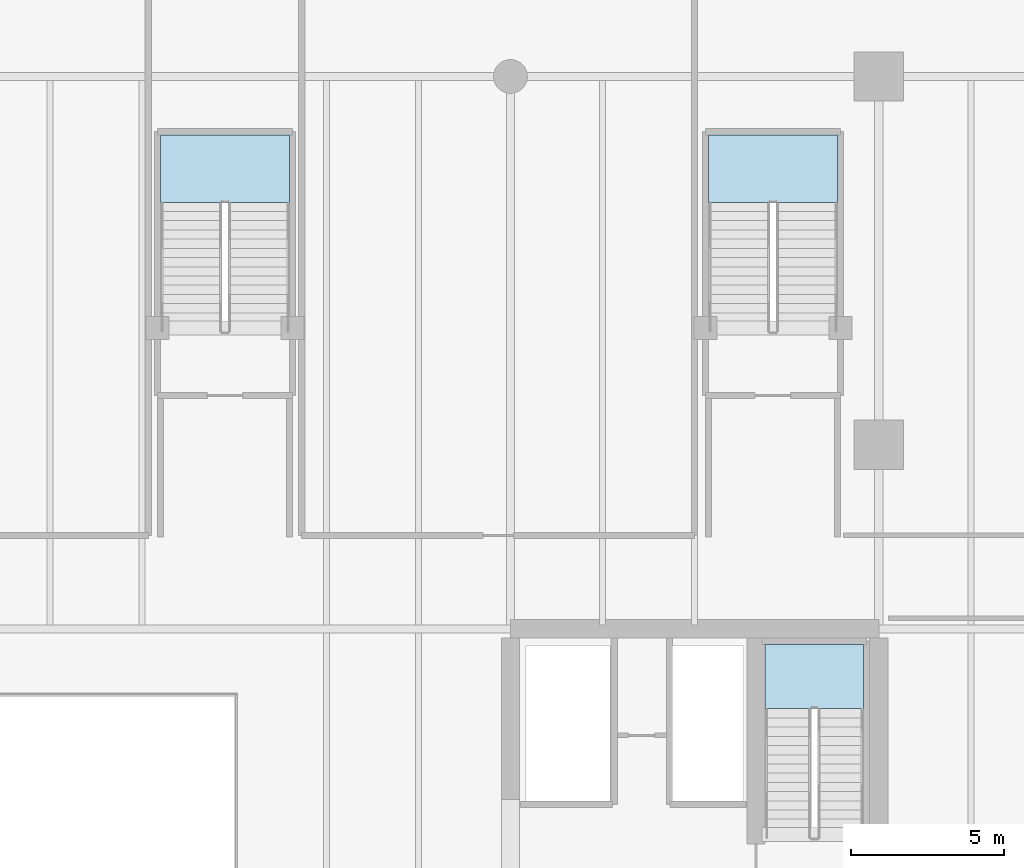
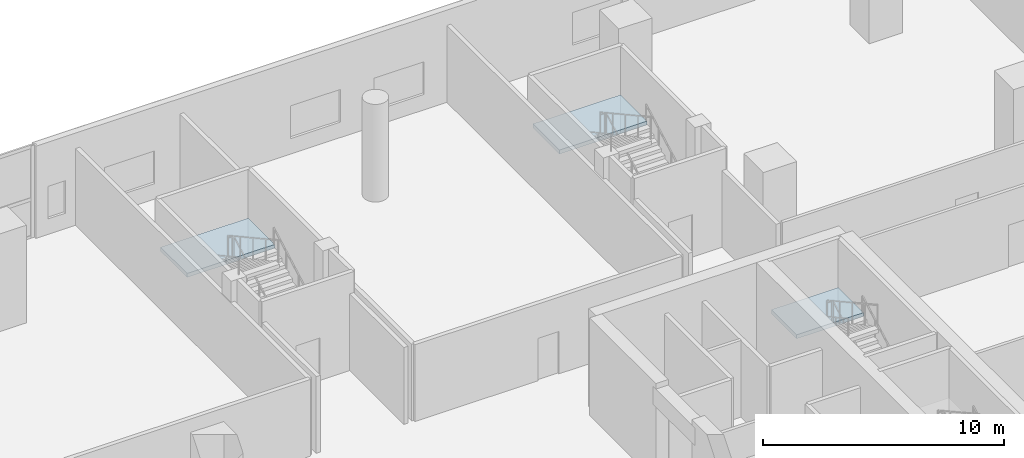
# One storey, part 10 of 27: 3 slabs, 3 elements without a shape of their own.
"""IFC4 building model written with IfcOpenShell, lengths in metres."""

import ifcopenshell
import ifcopenshell.guid

model = None  # the IFC model being written
_history = None  # IfcOwnerHistory: only IFC2X3 demands one
_inside = {}  # id of a spatial element -> (the spatial element, [elements in it])
_under = {}  # id of a project, library or spatial element -> (it, [spatial elements below it])
_declared = {}  # id of a project -> (the project, [libraries it declares])
_typed = {}  # id of a type object -> (the type object, [elements of that type])
_made_of = {}  # id of a material, layer set ... -> (it, [elements and type objects made of it])


def new_model(schema):
    """Start an empty IFC model of exactly this schema.

    Asked for "IFC4X3", IfcOpenShell would pick the latest addendum, in which some entities
    have other attributes; the version numbers below select the first issue.
    IFC2X3 requires an IfcOwnerHistory on every rooted entity: one is made here for all.
    """
    global model, _history
    if schema == "IFC4X3":
        model = ifcopenshell.file(schema_version=(4, 3, 0, 0))
    else:
        model = ifcopenshell.file(schema=schema)
    _inside.clear()
    _under.clear()
    _declared.clear()
    _typed.clear()
    _made_of.clear()
    _history = None
    if model.schema == "IFC2X3":
        org = make("IfcOrganization", Name="unknown")
        user = make(
            "IfcPersonAndOrganization",
            ThePerson=make("IfcPerson", FamilyName="unknown"),
            TheOrganization=org,
        )
        app = make(
            "IfcApplication",
            ApplicationDeveloper=org,
            Version="unknown",
            ApplicationFullName="unknown",
            ApplicationIdentifier="unknown",
        )
        _history = make(
            "IfcOwnerHistory",
            OwningUser=user,
            OwningApplication=app,
            ChangeAction="ADDED",
            CreationDate=0,
        )
    return model


def make(cls, **values):
    """One entity of the class cls with the attributes given. An attribute that is None is left unset."""
    return model.create_entity(
        cls, **{name: value for name, value in values.items() if value is not None}
    )


def rooted(cls, **values):
    """An entity with a GlobalId (a new one), such as an element, a storey or a relation."""
    return make(cls, GlobalId=ifcopenshell.guid.new(), OwnerHistory=_history, **values)


def si_unit(unit_type, name, prefix=None):
    """IfcSIUnit, for example si_unit("LENGTHUNIT", "METRE", prefix="MILLI")."""
    return make("IfcSIUnit", UnitType=unit_type, Prefix=prefix, Name=name)


def assignment(units):
    """IfcUnitAssignment: the units of a project."""
    return None if units is None else make("IfcUnitAssignment", Units=units)


def point(xyz):
    """IfcCartesianPoint."""
    return None if xyz is None else make("IfcCartesianPoint", Coordinates=xyz)


def direction(xyz):
    """IfcDirection."""
    return None if xyz is None else make("IfcDirection", DirectionRatios=xyz)


def frame(location, z_axis=None, x_axis=None):
    """IfcAxis2Placement3D, a coordinate frame: its origin and axes. An axis left out is left unset."""
    return make(
        "IfcAxis2Placement3D",
        Location=point(location),
        Axis=direction(z_axis),
        RefDirection=direction(x_axis),
    )


def origin():
    """The frame at (0, 0, 0) with its axes left unset."""
    return frame((0.0, 0.0, 0.0))


def place(relative_to, where):
    """IfcLocalPlacement: puts the frame where relative to a parent placement (None: the world)."""
    return make(
        "IfcLocalPlacement", PlacementRelTo=relative_to, RelativePlacement=where
    )


def context(
    kind, dimensions, precision=None, world=None, true_north=None, identifier=None
):
    """IfcGeometricRepresentationContext, for example the 3D "Model" context."""
    return make(
        "IfcGeometricRepresentationContext",
        ContextIdentifier=identifier,
        ContextType=kind,
        CoordinateSpaceDimension=dimensions,
        Precision=precision,
        WorldCoordinateSystem=world,
        TrueNorth=true_north,
    )


def subcontext(parent, identifier, kind, view, scale=None):
    """IfcGeometricRepresentationSubContext, for example "Body" below "Model"."""
    return make(
        "IfcGeometricRepresentationSubContext",
        ContextIdentifier=identifier,
        ContextType=kind,
        ParentContext=parent,
        TargetScale=scale,
        TargetView=view,
    )


def project(units=None, contexts=None):
    """IfcProject with its units and contexts."""
    return rooted(
        "IfcProject",
        Name="project",
        RepresentationContexts=contexts,
        UnitsInContext=assignment(units),
    )


def spatial(cls, under=None, at=None, **own):
    """A site, building, storey or space (cls), placed at a placement, below another one or the project."""
    s = rooted(cls, ObjectPlacement=at, **own)
    if under is not None:
        _under.setdefault(under.id(), (under, []))[1].append(s)
    return s


def polyline(points):
    """IfcPolyline through the points."""
    return make("IfcPolyline", Points=[point(p) for p in points])


def outline(outer, holes=None, kind="AREA"):
    """IfcArbitraryClosedProfileDef: a profile drawn as a closed curve; with holes, ...WithVoids."""
    if holes is None:
        return make("IfcArbitraryClosedProfileDef", ProfileType=kind, OuterCurve=outer)
    return make(
        "IfcArbitraryProfileDefWithVoids",
        ProfileType=kind,
        OuterCurve=outer,
        InnerCurves=holes,
    )


def extrude(swept, where, along, depth):
    """IfcExtrudedAreaSolid: the profile swept, set in the frame where, extruded along a direction by depth."""
    return make(
        "IfcExtrudedAreaSolid",
        SweptArea=swept,
        Position=where,
        ExtrudedDirection=direction(along),
        Depth=depth,
    )


def shape(context_of_items, identifier, shape_type, items):
    """IfcShapeRepresentation: the items that make up one representation, for example the "Body"."""
    return make(
        "IfcShapeRepresentation",
        ContextOfItems=context_of_items,
        RepresentationIdentifier=identifier,
        RepresentationType=shape_type,
        Items=items,
    )


def material(Name=None, Category=None):
    """IfcMaterial."""
    return make("IfcMaterial", Name=Name, Category=Category)


def layer(
    of_material, thickness, ventilated=None, Name=None, Category=None, Priority=None
):
    """IfcMaterialLayer: one layer of a wall or slab, of a material (None: an air gap)."""
    return make(
        "IfcMaterialLayer",
        Material=of_material,
        LayerThickness=thickness,
        IsVentilated=ventilated,
        Name=Name,
        Category=Category,
        Priority=Priority,
    )


def layer_set(layers, Name=None):
    """IfcMaterialLayerSet."""
    return make("IfcMaterialLayerSet", MaterialLayers=layers, LayerSetName=Name)


def made_of(thing, what):
    """Note that an element or type object is made of a material, layer set ...; save() writes the relation."""
    if what is not None:
        _made_of.setdefault(what.id(), (what, []))[1].append(thing)
    return thing


def type_object(cls, material=None, **own):
    """A type object (cls), such as IfcWallType, which elements share."""
    return made_of(rooted(cls, **own), material)


def element(
    cls,
    number,
    at=None,
    inside=None,
    cuts=None,
    type_object=None,
    material=None,
    context=None,
    identifier="Body",
    shape_type=None,
    held_by="IfcProductDefinitionShape",
    body=None,
    shapes=None,
    **own,
):
    """One element of the class cls, such as IfcWall. Its Tag is "e" and its number.

    at: its placement. inside: the storey or other place that contains it. cuts: it is an
    opening in that element (IfcRelVoidsElement). A single representation is given by context,
    identifier, shape_type and body (its items); several are given by shapes. held_by: the class
    of the entity that holds the representations. save() writes the other relations.
    """
    e = rooted(cls, Tag="e%d" % number, ObjectPlacement=at, **own)
    if body is not None:
        shapes = [shape(context, identifier, shape_type, body)]
    if shapes is not None:
        e.Representation = make(held_by, Representations=shapes)
    if inside is not None:
        _inside.setdefault(inside.id(), (inside, []))[1].append(e)
    if cuts is not None:
        rooted(
            "IfcRelVoidsElement", RelatingBuildingElement=cuts, RelatedOpeningElement=e
        )
    if type_object is not None:
        _typed.setdefault(type_object.id(), (type_object, []))[1].append(e)
    return made_of(e, material)


def aggregate(whole, parts):
    """IfcRelAggregates: a whole, such as a stair, and the parts it consists of."""
    return rooted("IfcRelAggregates", RelatingObject=whole, RelatedObjects=parts)


def save(model, path):
    """Write the relations noted so far, then the file.

    IfcRelAggregates (storeys below a building ...), IfcRelContainedInSpatialStructure (elements
    in a storey), IfcRelDefinesByType, IfcRelAssociatesMaterial and IfcRelDeclares: one each for
    every whole, place, type object, material and project.
    """
    for whole, parts in _under.values():
        aggregate(whole, parts)
    for where, things in _inside.values():
        rooted(
            "IfcRelContainedInSpatialStructure",
            RelatedElements=things,
            RelatingStructure=where,
        )
    for kind, things in _typed.values():
        rooted("IfcRelDefinesByType", RelatedObjects=things, RelatingType=kind)
    for what, things in _made_of.values():
        rooted("IfcRelAssociatesMaterial", RelatedObjects=things, RelatingMaterial=what)
    for by, libraries in _declared.values():
        rooted("IfcRelDeclares", RelatingContext=by, RelatedDefinitions=libraries)
    model.write(path)


model = new_model("IFC4")

# Units and contexts
model_context = context("Model", 3, precision=1e-05, world=origin(), true_north=direction((0.0, 1.0)))
body_context = subcontext(model_context, "Body", "Model", "MODEL_VIEW")
ifc_project = project(units=[si_unit("LENGTHUNIT", "METRE"), si_unit("AREAUNIT", "SQUARE_METRE"), si_unit("VOLUMEUNIT", "CUBIC_METRE"), si_unit("PLANEANGLEUNIT", "RADIAN"), si_unit("MASSUNIT", "GRAM", prefix="KILO")], contexts=[model_context])

# Site, building, storey
site_placement = place(None, origin())
site = spatial("IfcSite", under=ifc_project, at=site_placement, CompositionType="ELEMENT")
building_placement = place(site_placement, origin())
building = spatial("IfcBuilding", under=site, at=building_placement, Name="Tanjung Sevakor Pilgrim Tower", CompositionType="ELEMENT")
storey_placement = place(building_placement, frame((0.0, 0.0, 9.89990234375)))
storey = spatial("IfcBuildingStorey", under=building, at=storey_placement, Name="L03", CompositionType="ELEMENT", Elevation=9.89990234375)

# Stair, slab
ifc_material_1 = material(Name="Concrete C40/50", Category="concrete")
stair_type_1 = type_object("IfcStairType", Name="STAIR-ST-CR150", PredefinedType="HALF_TURN_STAIR", material=ifc_material_1)
stair_1_placement = place(storey_placement, origin())
stair_1 = element("IfcStair", 1, at=stair_1_placement, inside=storey, type_object=stair_type_1, Name="L03 East Core Exit Stair 2", PredefinedType="HALF_TURN_STAIR")
ifc_material_2 = material(Name="Concrete C40/50", Category="concrete")
ifc_layer = layer(ifc_material_2, 0.199951171875)
ifc_layer_set = layer_set([ifc_layer], Name="SL-LAND-200")
slab_type = type_object("IfcSlabType", Name="SL-LAND-200", PredefinedType="LANDING", material=ifc_layer_set)
slab_1_placement = place(storey_placement, frame((0.0, 0.0, 2.275146484375)))
slab_1 = element("IfcSlab", 2, at=slab_1_placement, type_object=slab_type, Name="TS-E2 landing 1", PredefinedType="LANDING", context=body_context, shape_type="SweptSolid", body=[
    extrude(outline(polyline([(89.5, 40.0), (89.5, 42.10009765625), (86.300048828125, 42.10009765625), (86.300048828125, 40.0), (89.5, 40.0)])), origin(), (0.0, 0.0, 1.0), 0.199951171875),
])
aggregate(stair_1, [slab_1])

ifc_material_3 = material(Name="Concrete C40/50", Category="concrete")
stair_type_2 = type_object("IfcStairType", Name="STAIR-ST-PD200", PredefinedType="HALF_TURN_STAIR", material=ifc_material_3)
stair_2_placement = place(storey_placement, origin())
stair_2 = element("IfcStair", 3, at=stair_2_placement, inside=storey, type_object=stair_type_2, Name="L03 Podium North-Central Assembly Stair", PredefinedType="HALF_TURN_STAIR")
slab_2_placement = place(storey_placement, frame((0.0, 0.0, 2.275146484375)))
slab_2 = element("IfcSlab", 4, at=slab_2_placement, type_object=slab_type, Name="PS-4 landing 1", PredefinedType="LANDING", context=body_context, shape_type="SweptSolid", body=[
    extrude(outline(polyline([(70.800048828125, 56.5), (70.800048828125, 58.699951171875), (66.60009765625, 58.699951171875), (66.60009765625, 56.5), (70.800048828125, 56.5)])), origin(), (0.0, 0.0, 1.0), 0.199951171875),
])
aggregate(stair_2, [slab_2])

stair_3_placement = place(storey_placement, origin())
stair_3 = element("IfcStair", 5, at=stair_3_placement, inside=storey, type_object=stair_type_2, Name="L03 Podium North-East Assembly Stair", PredefinedType="HALF_TURN_STAIR")
slab_3_placement = place(storey_placement, frame((0.0, 0.0, 2.275146484375)))
slab_3 = element("IfcSlab", 6, at=slab_3_placement, type_object=slab_type, Name="PS-6 landing 1", PredefinedType="LANDING", context=body_context, shape_type="SweptSolid", body=[
    extrude(outline(polyline([(88.64990234375, 56.5), (88.64990234375, 58.699951171875), (84.449951171875, 58.699951171875), (84.449951171875, 56.5), (88.64990234375, 56.5)])), origin(), (0.0, 0.0, 1.0), 0.199951171875),
])
aggregate(stair_3, [slab_3])

save(model, "model.ifc")
